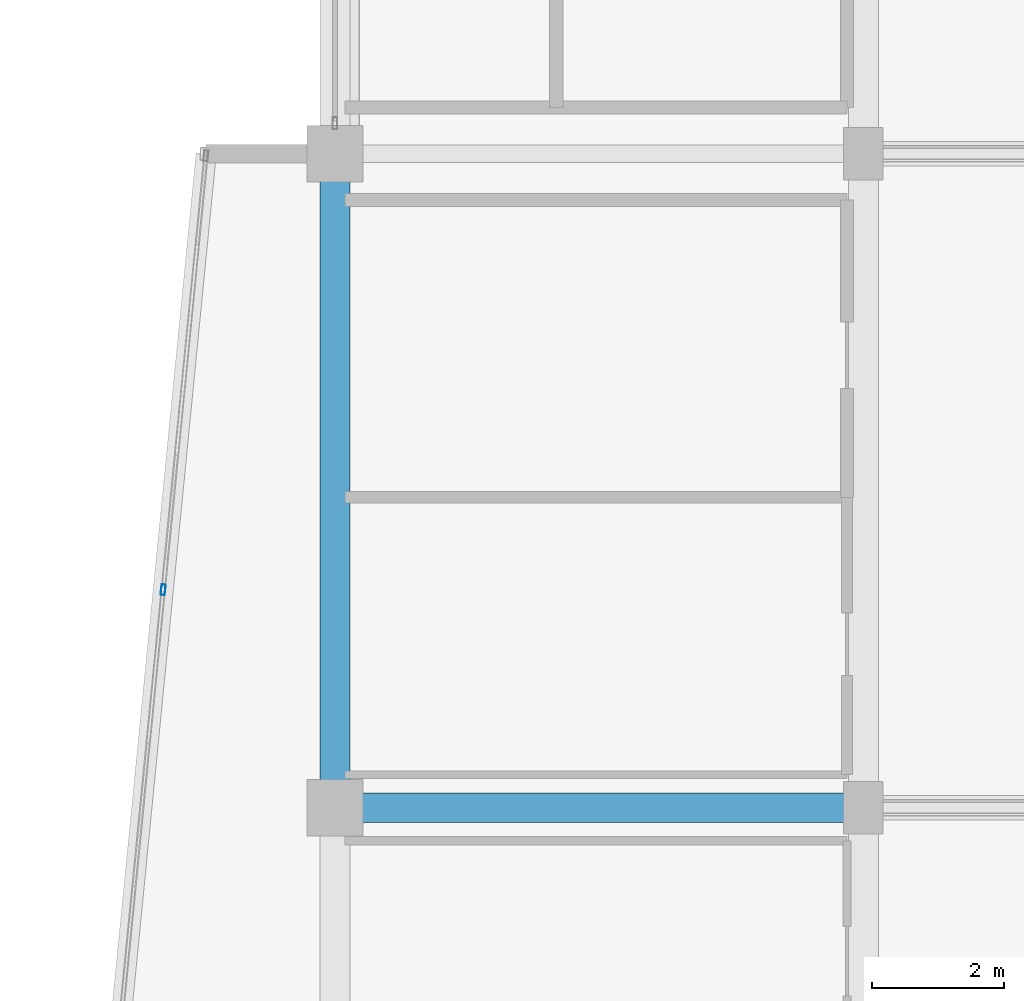
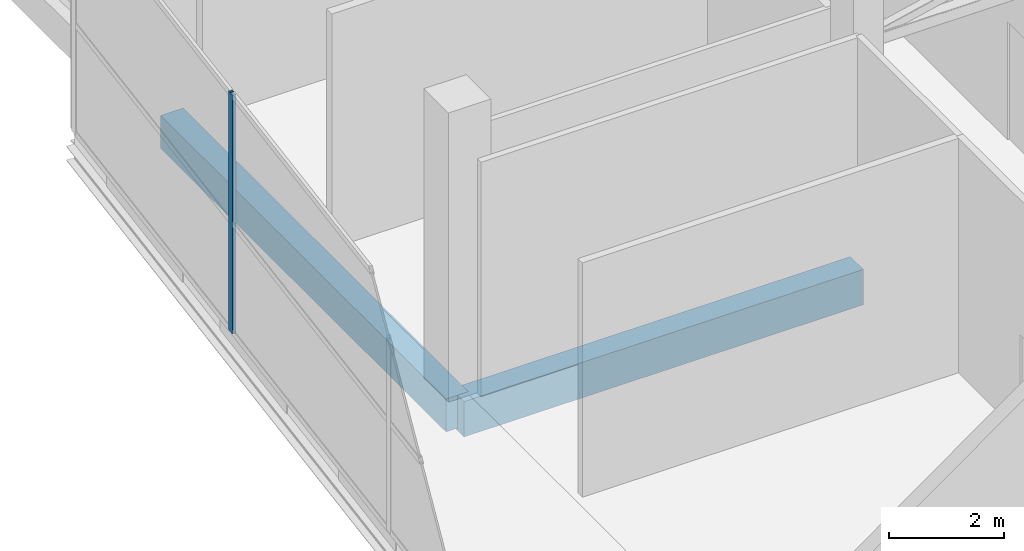
# One storey, part 12 of 58: 2 beams, 1 member, 1 element without a shape of its own.
"""IFC4 building model written with IfcOpenShell, lengths in metres."""

from ifc_helpers import new_model, si_unit, direction, frame, origin, origin_2d, place, context, subcontext, project, spatial, rectangle, hollow_rectangle, extrude, material, layer, layer_set, material_profile, profile_set, type_object, element, aggregate, save


model = new_model("IFC4")

# Units and contexts
model_context = context("Model", 3, precision=1e-05, world=origin(), true_north=direction((0.0, 1.0)))
body_context = subcontext(model_context, "Body", "Model", "MODEL_VIEW")
ifc_project = project(units=[si_unit("LENGTHUNIT", "METRE"), si_unit("AREAUNIT", "SQUARE_METRE"), si_unit("VOLUMEUNIT", "CUBIC_METRE"), si_unit("PLANEANGLEUNIT", "RADIAN"), si_unit("MASSUNIT", "GRAM", prefix="KILO")], contexts=[model_context])

# Site, building, storey
site_placement = place(None, origin())
site = spatial("IfcSite", under=ifc_project, at=site_placement, CompositionType="ELEMENT")
building_placement = place(site_placement, origin())
building = spatial("IfcBuilding", under=site, at=building_placement, Name="Sillaruma Civic Art Gallery", CompositionType="ELEMENT")
storey_placement = place(building_placement, frame((0.0, 0.0, 22.43994140625)))
storey = spatial("IfcBuildingStorey", under=building, at=storey_placement, Name="L04", CompositionType="ELEMENT", Elevation=22.43994140625)

# Beams
ifc_material_1 = material(Name="Concrete H40 (40 MPa)", Category="concrete")
ifc_material_profile_1 = material_profile(ifc_material_1, rectangle(XDim=0.449951171875, YDim=0.75, at=origin_2d()), Name="RCB450x750")
ifc_profile_set_1 = profile_set([ifc_material_profile_1], Name="Concrete H40 (40 MPa)")
beam_type_1 = type_object("IfcBeamType", Name="BM-BEAM-RCB450x750", PredefinedType="BEAM", material=ifc_profile_set_1)
beam_1_placement = place(storey_placement, frame((62.0, 59.39990234375, -0.635009765625), z_axis=(1.0, 0.0, 0.0), x_axis=(0.0, 1.0, 0.0)))
element("IfcBeam", 1, at=beam_1_placement, inside=storey, type_object=beam_type_1, Name="Beam BM-03 (L03:7:F-G)", PredefinedType="BEAM", context=body_context, shape_type="SweptSolid", body=[
    extrude(rectangle(XDim=0.449951171875, YDim=0.75, at=origin_2d()), origin(), (0.0, 0.0, 1.0), 8.0),
])
ifc_material_2 = material(Name="Concrete H35 (35 MPa)", Category="concrete")
ifc_material_profile_2 = material_profile(ifc_material_2, rectangle(XDim=0.449951171875, YDim=0.699951171875, at=origin_2d()), Name="RCB450x700")
ifc_profile_set_2 = profile_set([ifc_material_profile_2], Name="Concrete H35 (35 MPa)")
beam_type_2 = type_object("IfcBeamType", Name="BM-SPANDREL-RCB450x700", PredefinedType="SPANDREL", material=ifc_profile_set_2)
beam_2_placement = place(storey_placement, frame((62.0, 59.39990234375, -0.60986328125), z_axis=(0.0, 1.0, 0.0), x_axis=(-1.0, 0.0, 0.0)))
element("IfcBeam", 2, at=beam_2_placement, inside=storey, type_object=beam_type_2, Name="Beam BS-03 (L03:F:7-8)", PredefinedType="SPANDREL", context=body_context, shape_type="SweptSolid", body=[
    extrude(rectangle(XDim=0.449951171875, YDim=0.699951171875, at=origin_2d()), origin(), (0.0, 0.0, 1.0), 9.900146484375),
])

# Curtain wall, member
ifc_material_3 = material(Name="Thermally Broken Extruded Aluminium 6063-T6", Category="aluminium")
ifc_layer = layer(ifc_material_3, 0.159912109375, Name="Thermally Broken Extruded Aluminium 6063-T6")
ifc_layer_set = layer_set([ifc_layer], Name="Thermally Broken Extruded Aluminium 6063-T6")
curtain_wall_type = type_object("IfcCurtainWallType", Name="CW-UNI-25", PredefinedType="NOTDEFINED", material=ifc_layer_set)
curtain_wall_placement = place(storey_placement, origin())
curtain_wall = element("IfcCurtainWall", 3, at=curtain_wall_placement, inside=storey, type_object=curtain_wall_type, Name="Unitised Curtain Wall CW-25 (CW-PRW-L04-W-ANG)", PredefinedType="NOTDEFINED")
ifc_material_profile_3 = material_profile(ifc_material_3, hollow_rectangle(XDim=0.06494140625, YDim=0.159912109375, WallThickness=0.00390625, at=origin_2d()), Name="CWM65x160")
ifc_profile_set_3 = profile_set([ifc_material_profile_3], Name="Thermally Broken Extruded Aluminium 6063-T6")
member_type = type_object("IfcMemberType", Name="MEM-MUL-CWM65x160", PredefinedType="MULLION", material=ifc_profile_set_3)
member_placement = place(storey_placement, frame((59.39990234375, 62.699951171875, 0.0), z_axis=(0.0, 0.0, 1.0), x_axis=(0.99518536297, -0.098010679679, 0.0)))
member = element("IfcMember", 4, at=member_placement, type_object=member_type, Name="CW-25 mullion 2", PredefinedType="MULLION", context=body_context, shape_type="SweptSolid", body=[
    extrude(hollow_rectangle(XDim=0.06494140625, YDim=0.159912109375, WallThickness=0.00390625, at=origin_2d()), origin(), (0.0, 0.0, 1.0), 5.06005859375),
])
aggregate(curtain_wall, [member])

save(model, "model.ifc")
